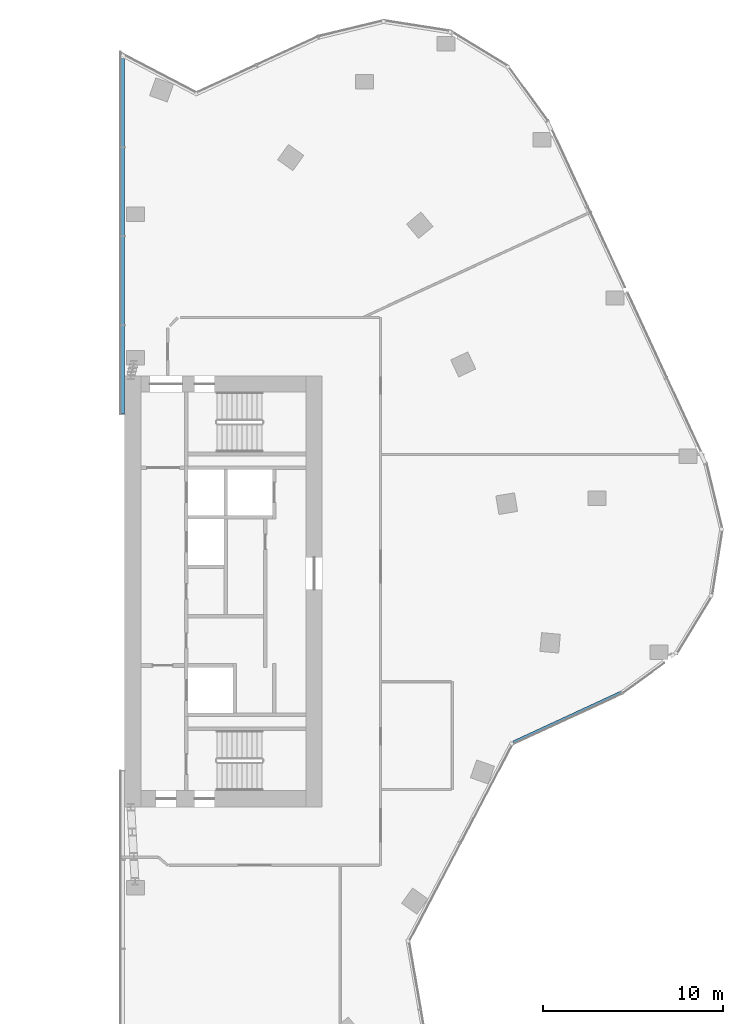
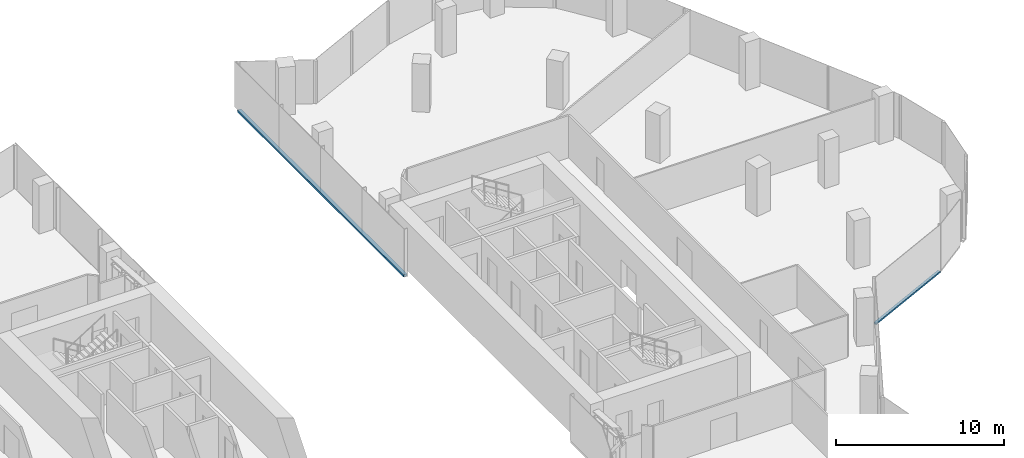
# One storey, part 8 of 23: 2 members, 2 elements without a shape of their own.
"""IFC4 building model written with IfcOpenShell, lengths in metres."""

from ifc_helpers import new_model, si_unit, direction, frame, origin, origin_2d, place, context, subcontext, project, spatial, rectangle, extrude, material, material_profile, profile_set, type_object, element, aggregate, save


model = new_model("IFC4")

# Units and contexts
model_context = context("Model", 3, precision=1e-05, world=origin(), true_north=direction((0.0, 1.0)))
body_context = subcontext(model_context, "Body", "Model", "MODEL_VIEW")
ifc_project = project(units=[si_unit("LENGTHUNIT", "METRE"), si_unit("AREAUNIT", "SQUARE_METRE"), si_unit("VOLUMEUNIT", "CUBIC_METRE"), si_unit("PLANEANGLEUNIT", "RADIAN"), si_unit("MASSUNIT", "GRAM", prefix="KILO")], contexts=[model_context])

# Site, building, storey
site_placement = place(None, origin())
site = spatial("IfcSite", under=ifc_project, at=site_placement, CompositionType="ELEMENT")
building_placement = place(site_placement, origin())
building = spatial("IfcBuilding", under=site, at=building_placement, Name="Orlundy Tower", CompositionType="ELEMENT")
storey_placement = place(building_placement, frame((0.0, 0.0, 257.0)))
storey = spatial("IfcBuildingStorey", under=building, at=storey_placement, Name="L68", CompositionType="ELEMENT", Elevation=257.0)

# Curtain wall, member
ifc_material_1 = material(Name="Aluminium bronze anodised", Category="aluminium")
curtain_wall_type = type_object("IfcCurtainWallType", Name="CW1 wall", PredefinedType="NOTDEFINED", material=ifc_material_1)
curtain_wall_1_placement = place(storey_placement, origin())
curtain_wall_1 = element("IfcCurtainWall", 1, at=curtain_wall_1_placement, inside=storey, type_object=curtain_wall_type, Name="CW1 run 110", PredefinedType="NOTDEFINED")
ifc_material_2 = material(Name="Aluminium bronze anodised", Category="aluminium")
ifc_material_profile_1 = material_profile(ifc_material_2, rectangle(XDim=0.179931640625, YDim=0.1201171875, at=origin_2d()), Name="CW1 transom 180x120")
ifc_profile_set_1 = profile_set([ifc_material_profile_1], Name="Aluminium bronze anodised")
member_type_1 = type_object("IfcMemberType", Name="CW1 transom 180x120", PredefinedType="USERDEFINED", material=ifc_profile_set_1)
member_1_placement = place(storey_placement, frame((35.64892578125, -5.639404296875, -0.340087890625), z_axis=(-0.907544697421, -0.41995550024, 0.0), x_axis=(0.41995550024, -0.907544697421, 0.0)))
member_1 = element("IfcMember", 2, at=member_1_placement, type_object=member_type_1, Name="CW1 transom", ObjectType="TRANSOM", PredefinedType="USERDEFINED", context=body_context, shape_type="SweptSolid", body=[
    extrude(rectangle(XDim=0.179931640625, YDim=0.1201171875, at=origin_2d()), origin(), (0.0, 0.0, 1.0), 6.623779296875),
])
aggregate(curtain_wall_1, [member_1])

curtain_wall_2_placement = place(storey_placement, origin())
curtain_wall_2 = element("IfcCurtainWall", 3, at=curtain_wall_2_placement, inside=storey, type_object=curtain_wall_type, Name="CW1 run 118", PredefinedType="NOTDEFINED")
ifc_material_3 = material(Name="Aluminium bronze anodised", Category="aluminium")
ifc_material_profile_2 = material_profile(ifc_material_3, rectangle(XDim=0.239990234375, YDim=0.159912109375, at=origin_2d()), Name="CW6 transom 240x160")
ifc_profile_set_2 = profile_set([ifc_material_profile_2], Name="Aluminium bronze anodised")
member_type_2 = type_object("IfcMemberType", Name="CW6 transom 240x160", PredefinedType="USERDEFINED", material=ifc_profile_set_2)
member_2_placement = place(storey_placement, frame((7.8798828125, 9.87646484375, -0.320068359375), z_axis=(0.0, 1.0, 0.0), x_axis=(-1.0, 0.0, 0.0)))
member_2 = element("IfcMember", 4, at=member_2_placement, type_object=member_type_2, Name="CW6 transom", ObjectType="TRANSOM", PredefinedType="USERDEFINED", context=body_context, shape_type="SweptSolid", body=[
    extrude(rectangle(XDim=0.239990234375, YDim=0.159912109375, at=origin_2d()), origin(), (0.0, 0.0, 1.0), 19.802490234375),
])
aggregate(curtain_wall_2, [member_2])

save(model, "model.ifc")
